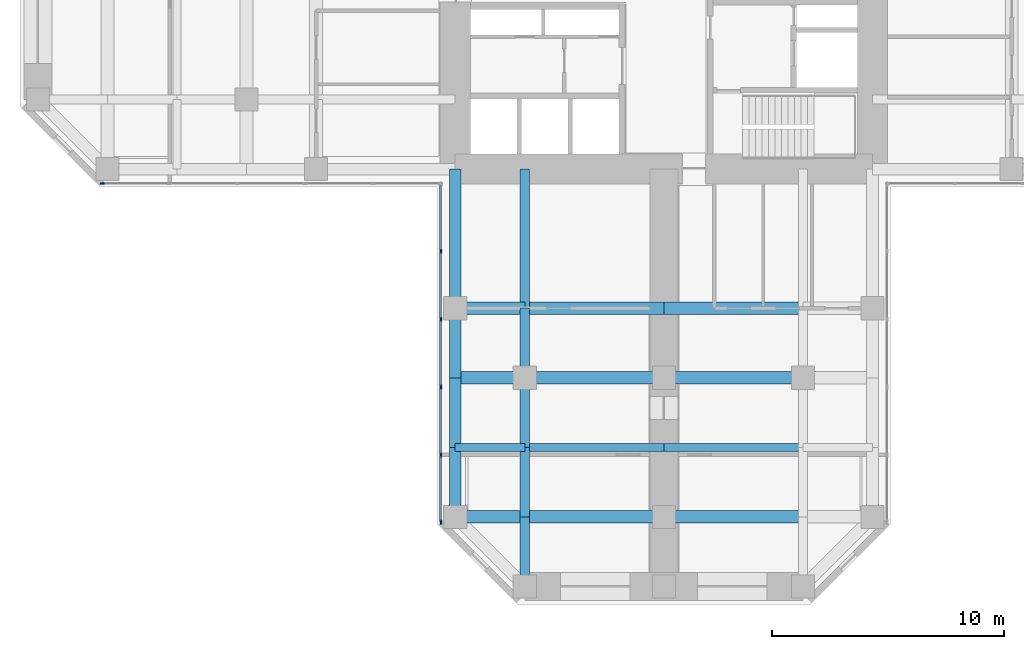
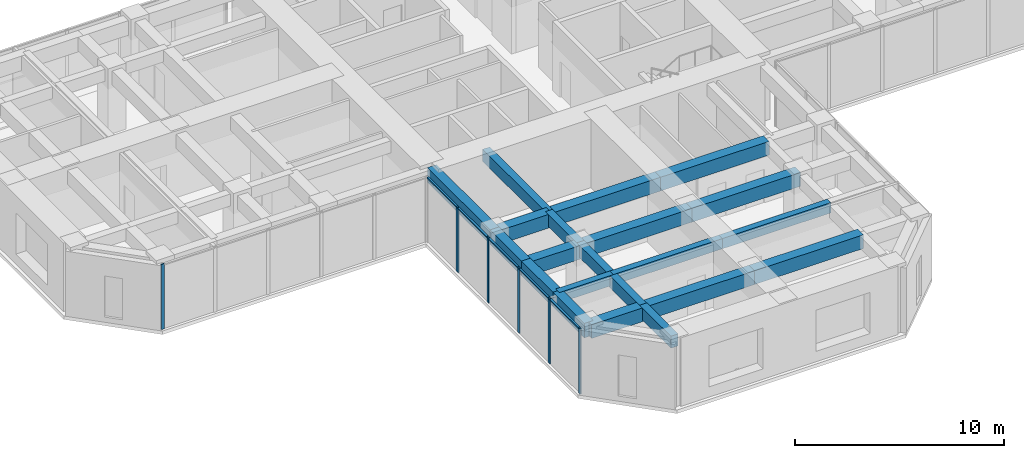
# One storey, part 2 of 13: 21 beams, 11 members, 2 elements without a shape of their own.
"""IFC4 building model written with IfcOpenShell, lengths in metres."""

from ifc_helpers import new_model, si_unit, direction, frame, origin, origin_2d, place, context, subcontext, project, spatial, rectangle, extrude, material, material_profile, profile_set, type_object, element, aggregate, save


model = new_model("IFC4")

# Units and contexts
model_context = context("Model", 3, precision=1e-05, world=origin(), true_north=direction((0.0, 1.0)))
body_context = subcontext(model_context, "Body", "Model", "MODEL_VIEW")
ifc_project = project(units=[si_unit("LENGTHUNIT", "METRE"), si_unit("AREAUNIT", "SQUARE_METRE"), si_unit("VOLUMEUNIT", "CUBIC_METRE"), si_unit("PLANEANGLEUNIT", "RADIAN"), si_unit("MASSUNIT", "GRAM", prefix="KILO")], contexts=[model_context])

# Site, building, storey
site_placement = place(None, origin())
site = spatial("IfcSite", under=ifc_project, at=site_placement, CompositionType="ELEMENT")
building_placement = place(site_placement, origin())
building = spatial("IfcBuilding", under=site, at=building_placement, Name="Torre Cruceta", CompositionType="ELEMENT")
storey_placement = place(building_placement, frame((0.0, 0.0, 132.5)))
storey = spatial("IfcBuildingStorey", under=building, at=storey_placement, Name="L32", CompositionType="ELEMENT", Elevation=132.5)

# Beams
ifc_material_1 = material(Name="Concrete G60 (fck 60 MPa)", Category="concrete")
ifc_material_profile_1 = material_profile(ifc_material_1, rectangle(XDim=0.39990234375, YDim=0.699951171875, at=origin_2d()), Name="RC 400X700")
ifc_profile_set_1 = profile_set([ifc_material_profile_1], Name="Concrete G60 (fck 60 MPa)")
beam_type_1 = type_object("IfcBeamType", Name="COLUMN LINE BEAM RC 400X700", PredefinedType="BEAM", material=ifc_profile_set_1)
beam_1_placement = place(storey_placement, frame((-6.0, -9.0, 3.449951171875), z_axis=(0.0, -1.0, 0.0), x_axis=(1.0, 0.0, 0.0)))
element("IfcBeam", 1, at=beam_1_placement, inside=storey, type_object=beam_type_1, Name="LB5 L32 S col- 1", PredefinedType="BEAM", context=body_context, shape_type="SweptSolid", body=[
    extrude(rectangle(XDim=0.39990234375, YDim=0.699951171875, at=origin_2d()), origin(), (0.0, 0.0, 1.0), 6.0),
])
for number, where, z_axis, x_axis, name in (
    (2, (-6.0, -15.0, 3.449951171875), (0.0, -1.0, 0.0), (1.0, 0.0, 0.0), "LB5 L32 S col- 2"),
    (3, (-6.0, -18.0, 3.449951171875), (0.0, -1.0, 0.0), (1.0, 0.0, 0.0), "LB5 L32 S col- 3"),
    (4, (-6.0, -21.0, 3.449951171875), (0.0, -1.0, 0.0), (1.0, 0.0, 0.0), "LB5 L32 S col- 4"),
    (5, (-6.0, -24.0, 3.449951171875), (0.0, -1.0, 0.0), (1.0, 0.0, 0.0), "LB5 L32 S col- 5"),
):
    element("IfcBeam", number, at=place(storey_placement, frame(where, z_axis=z_axis, x_axis=x_axis)), inside=storey, type_object=beam_type_1, Name=name, PredefinedType="BEAM", context=body_context, shape_type="SweptSolid", body=[
        extrude(rectangle(XDim=0.39990234375, YDim=0.699951171875, at=origin_2d()), origin(), (0.0, 0.0, 1.0), 3.0),
    ])
ifc_material_2 = material(Name="Concrete G60 (fck 60 MPa)", Category="concrete")
ifc_material_profile_2 = material_profile(ifc_material_2, rectangle(XDim=0.550048828125, YDim=0.800048828125, at=origin_2d()), Name="RC 550X800")
ifc_profile_set_2 = profile_set([ifc_material_profile_2], Name="Concrete G60 (fck 60 MPa)")
beam_type_2 = type_object("IfcBeamType", Name="CROSS BEAM RC 550X800", PredefinedType="BEAM", material=ifc_profile_set_2)
beam_2_placement = place(storey_placement, frame((-9.0, -15.0, 3.39990234375), z_axis=(1.0, 0.0, 0.0), x_axis=(0.0, 1.0, 0.0)))
element("IfcBeam", 6, at=beam_2_placement, inside=storey, type_object=beam_type_2, Name="GB5 L32 S cross15 1", PredefinedType="BEAM", context=body_context, shape_type="SweptSolid", body=[
    extrude(rectangle(XDim=0.550048828125, YDim=0.800048828125, at=origin_2d()), origin(), (0.0, 0.0, 1.0), 3.0),
])
for number, where, z_axis, x_axis, name in (
    (7, (-6.0, -15.0, 3.39990234375), (1.0, 0.0, 0.0), (0.0, 1.0, 0.0), "GB5 L32 S cross15 2"),
    (8, (0.0, -15.0, 3.39990234375), (1.0, 0.0, 0.0), (0.0, 1.0, 0.0), "GB5 L32 S cross15 3"),
):
    element("IfcBeam", number, at=place(storey_placement, frame(where, z_axis=z_axis, x_axis=x_axis)), inside=storey, type_object=beam_type_2, Name=name, PredefinedType="BEAM", context=body_context, shape_type="SweptSolid", body=[
        extrude(rectangle(XDim=0.550048828125, YDim=0.800048828125, at=origin_2d()), origin(), (0.0, 0.0, 1.0), 6.0),
    ])
beam_3_placement = place(storey_placement, frame((-9.0, -18.0, 3.39990234375), z_axis=(1.0, 0.0, 0.0), x_axis=(0.0, 1.0, 0.0)))
element("IfcBeam", 9, at=beam_3_placement, inside=storey, type_object=beam_type_2, Name="GB5 L32 S cross18 1", PredefinedType="BEAM", context=body_context, shape_type="SweptSolid", body=[
    extrude(rectangle(XDim=0.550048828125, YDim=0.800048828125, at=origin_2d()), origin(), (0.0, 0.0, 1.0), 3.0),
])
for number, where, z_axis, x_axis, name in (
    (10, (-6.0, -18.0, 3.39990234375), (1.0, 0.0, 0.0), (0.0, 1.0, 0.0), "GB5 L32 S cross18 2"),
    (11, (0.0, -18.0, 3.39990234375), (1.0, 0.0, 0.0), (0.0, 1.0, 0.0), "GB5 L32 S cross18 3"),
):
    element("IfcBeam", number, at=place(storey_placement, frame(where, z_axis=z_axis, x_axis=x_axis)), inside=storey, type_object=beam_type_2, Name=name, PredefinedType="BEAM", context=body_context, shape_type="SweptSolid", body=[
        extrude(rectangle(XDim=0.550048828125, YDim=0.800048828125, at=origin_2d()), origin(), (0.0, 0.0, 1.0), 6.0),
    ])
beam_4_placement = place(storey_placement, frame((-9.0, -24.0, 3.39990234375), z_axis=(1.0, 0.0, 0.0), x_axis=(0.0, 1.0, 0.0)))
element("IfcBeam", 12, at=beam_4_placement, inside=storey, type_object=beam_type_2, Name="GB5 L32 S cross24 1", PredefinedType="BEAM", context=body_context, shape_type="SweptSolid", body=[
    extrude(rectangle(XDim=0.550048828125, YDim=0.800048828125, at=origin_2d()), origin(), (0.0, 0.0, 1.0), 3.0),
])
for number, where, z_axis, x_axis, name in (
    (13, (-6.0, -24.0, 3.39990234375), (1.0, 0.0, 0.0), (0.0, 1.0, 0.0), "GB5 L32 S cross24 2"),
    (14, (0.0, -24.0, 3.39990234375), (1.0, 0.0, 0.0), (0.0, 1.0, 0.0), "GB5 L32 S cross24 3"),
):
    element("IfcBeam", number, at=place(storey_placement, frame(where, z_axis=z_axis, x_axis=x_axis)), inside=storey, type_object=beam_type_2, Name=name, PredefinedType="BEAM", context=body_context, shape_type="SweptSolid", body=[
        extrude(rectangle(XDim=0.550048828125, YDim=0.800048828125, at=origin_2d()), origin(), (0.0, 0.0, 1.0), 6.0),
    ])

# Curtain wall, member
ifc_material_3 = material(Name="Aluminium unitised curtain wall", Category="aluminium")
curtain_wall_type = type_object("IfcCurtainWallType", Name="CURTAIN WALL CW-B OFFICE MID RISE", PredefinedType="USERDEFINED", material=ifc_material_3)
curtain_wall_1_placement = place(storey_placement, origin())
curtain_wall_1 = element("IfcCurtainWall", 15, at=curtain_wall_1_placement, inside=storey, type_object=curtain_wall_type, Name="CW-B L32 W side 14", ObjectType="UNITISED", PredefinedType="USERDEFINED")
ifc_material_4 = material(Name="Aluminium mullion", Category="aluminium")
ifc_material_profile_3 = material_profile(ifc_material_4, rectangle(XDim=0.06494140625, YDim=0.179931640625, at=origin_2d()), Name="AL 65X180")
ifc_profile_set_3 = profile_set([ifc_material_profile_3], Name="Aluminium mullion")
member_type_1 = type_object("IfcMemberType", Name="CW-B MULLION 65X180", PredefinedType="MULLION", material=ifc_profile_set_3)
member_1_placement = place(storey_placement, frame((-24.224365234375, -9.6201171875, 0.0), z_axis=(0.0, 0.0, 1.0), x_axis=(0.0, 1.0, 0.0)))
member_1 = element("IfcMember", 16, at=member_1_placement, type_object=member_type_1, Name="CW-B mullion 1", PredefinedType="MULLION", context=body_context, shape_type="SweptSolid", body=[
    extrude(rectangle(XDim=0.06494140625, YDim=0.179931640625, at=origin_2d()), origin(), (0.0, 0.0, 1.0), 3.800048828125),
])
aggregate(curtain_wall_1, [member_1])

# Curtain wall, members
curtain_wall_2_placement = place(storey_placement, origin())
curtain_wall_2 = element("IfcCurtainWall", 17, at=curtain_wall_2_placement, inside=storey, type_object=curtain_wall_type, Name="CW-B L32 S side 15", ObjectType="UNITISED", PredefinedType="USERDEFINED")
member_2_placement = place(storey_placement, frame((-9.6201171875, -12.54736328125, 0.0), z_axis=(0.0, 0.0, 1.0), x_axis=(1.0, 0.0, 0.0)))
member_2 = element("IfcMember", 18, at=member_2_placement, type_object=member_type_1, Name="CW-B mullion 2", PredefinedType="MULLION", context=body_context, shape_type="SweptSolid", body=[
    extrude(rectangle(XDim=0.06494140625, YDim=0.179931640625, at=origin_2d()), origin(), (0.0, 0.0, 1.0), 3.800048828125),
])
member_3_placement = place(storey_placement, frame((-9.6201171875, -15.474609375, 0.0), z_axis=(0.0, 0.0, 1.0), x_axis=(1.0, 0.0, 0.0)))
member_3 = element("IfcMember", 19, at=member_3_placement, type_object=member_type_1, Name="CW-B mullion 3", PredefinedType="MULLION", context=body_context, shape_type="SweptSolid", body=[
    extrude(rectangle(XDim=0.06494140625, YDim=0.179931640625, at=origin_2d()), origin(), (0.0, 0.0, 1.0), 3.800048828125),
])
member_4_placement = place(storey_placement, frame((-9.6201171875, -18.402099609375, 0.0), z_axis=(0.0, 0.0, 1.0), x_axis=(1.0, 0.0, 0.0)))
member_4 = element("IfcMember", 20, at=member_4_placement, type_object=member_type_1, Name="CW-B mullion 4", PredefinedType="MULLION", context=body_context, shape_type="SweptSolid", body=[
    extrude(rectangle(XDim=0.06494140625, YDim=0.179931640625, at=origin_2d()), origin(), (0.0, 0.0, 1.0), 3.800048828125),
])
member_5_placement = place(storey_placement, frame((-9.6201171875, -21.329345703125, 0.0), z_axis=(0.0, 0.0, 1.0), x_axis=(1.0, 0.0, 0.0)))
member_5 = element("IfcMember", 21, at=member_5_placement, type_object=member_type_1, Name="CW-B mullion 5", PredefinedType="MULLION", context=body_context, shape_type="SweptSolid", body=[
    extrude(rectangle(XDim=0.06494140625, YDim=0.179931640625, at=origin_2d()), origin(), (0.0, 0.0, 1.0), 3.800048828125),
])
member_6_placement = place(storey_placement, frame((-9.6201171875, -24.224365234375, 0.0), z_axis=(0.0, 0.0, 1.0), x_axis=(1.0, 0.0, 0.0)))
member_6 = element("IfcMember", 22, at=member_6_placement, type_object=member_type_1, Name="CW-B mullion 6", PredefinedType="MULLION", context=body_context, shape_type="SweptSolid", body=[
    extrude(rectangle(XDim=0.06494140625, YDim=0.179931640625, at=origin_2d()), origin(), (0.0, 0.0, 1.0), 3.800048828125),
])
ifc_material_5 = material(Name="Aluminium transom", Category="aluminium")
ifc_material_profile_4 = material_profile(ifc_material_5, rectangle(XDim=0.110107421875, YDim=0.06494140625, at=origin_2d()), Name="AL 110X65")
ifc_profile_set_4 = profile_set([ifc_material_profile_4], Name="Aluminium transom")
member_type_2 = type_object("IfcMemberType", Name="CW-B TRANSOM 65X110", PredefinedType="USERDEFINED", material=ifc_profile_set_4)
member_7_placement = place(storey_placement, frame((-9.6201171875, -9.68505859375, 3.767578125), z_axis=(0.0, -1.0, 0.0), x_axis=(1.0, 0.0, 0.0)))
member_7 = element("IfcMember", 23, at=member_7_placement, type_object=member_type_2, Name="CW-B transom 1", ObjectType="TRANSOM", PredefinedType="USERDEFINED", context=body_context, shape_type="SweptSolid", body=[
    extrude(rectangle(XDim=0.110107421875, YDim=0.06494140625, at=origin_2d()), origin(), (0.0, 0.0, 1.0), 2.829833984375),
])
member_8_placement = place(storey_placement, frame((-9.6201171875, -12.579833984375, 3.767578125), z_axis=(0.0, -1.0, 0.0), x_axis=(1.0, 0.0, 0.0)))
member_8 = element("IfcMember", 24, at=member_8_placement, type_object=member_type_2, Name="CW-B transom 2", ObjectType="TRANSOM", PredefinedType="USERDEFINED", context=body_context, shape_type="SweptSolid", body=[
    extrude(rectangle(XDim=0.110107421875, YDim=0.06494140625, at=origin_2d()), origin(), (0.0, 0.0, 1.0), 2.8623046875),
])
member_9_placement = place(storey_placement, frame((-9.6201171875, -15.50732421875, 3.767578125), z_axis=(0.0, -1.0, 0.0), x_axis=(1.0, 0.0, 0.0)))
member_9 = element("IfcMember", 25, at=member_9_placement, type_object=member_type_2, Name="CW-B transom 3", ObjectType="TRANSOM", PredefinedType="USERDEFINED", context=body_context, shape_type="SweptSolid", body=[
    extrude(rectangle(XDim=0.110107421875, YDim=0.06494140625, at=origin_2d()), origin(), (0.0, 0.0, 1.0), 2.8623046875),
])
member_10_placement = place(storey_placement, frame((-9.6201171875, -18.4345703125, 3.767578125), z_axis=(0.0, -1.0, 0.0), x_axis=(1.0, 0.0, 0.0)))
member_10 = element("IfcMember", 26, at=member_10_placement, type_object=member_type_2, Name="CW-B transom 4", ObjectType="TRANSOM", PredefinedType="USERDEFINED", context=body_context, shape_type="SweptSolid", body=[
    extrude(rectangle(XDim=0.110107421875, YDim=0.06494140625, at=origin_2d()), origin(), (0.0, 0.0, 1.0), 2.8623046875),
])
member_11_placement = place(storey_placement, frame((-9.6201171875, -21.362060546875, 3.767578125), z_axis=(0.0, -1.0, 0.0), x_axis=(1.0, 0.0, 0.0)))
member_11 = element("IfcMember", 27, at=member_11_placement, type_object=member_type_2, Name="CW-B transom 5", ObjectType="TRANSOM", PredefinedType="USERDEFINED", context=body_context, shape_type="SweptSolid", body=[
    extrude(rectangle(XDim=0.110107421875, YDim=0.06494140625, at=origin_2d()), origin(), (0.0, 0.0, 1.0), 2.829833984375),
])
aggregate(curtain_wall_2, [member_2, member_3, member_4, member_5, member_6, member_7, member_8, member_9, member_10, member_11])

# Beams
ifc_material_6 = material(Name="Concrete G60 (fck 60 MPa)", Category="concrete")
ifc_material_profile_5 = material_profile(ifc_material_6, rectangle(XDim=0.35009765625, YDim=0.60009765625, at=origin_2d()), Name="RC 350X600")
ifc_profile_set_5 = profile_set([ifc_material_profile_5], Name="Concrete G60 (fck 60 MPa)")
beam_type_3 = type_object("IfcBeamType", Name="SECONDARY BEAM RC 350X600", PredefinedType="JOIST", material=ifc_profile_set_5)
beam_5_placement = place(storey_placement, frame((-9.0, -21.0, 3.5), z_axis=(1.0, 0.0, 0.0), x_axis=(0.0, 1.0, 0.0)))
element("IfcBeam", 28, at=beam_5_placement, inside=storey, type_object=beam_type_3, Name="JB5 L32 S sec21 1", PredefinedType="JOIST", context=body_context, shape_type="SweptSolid", body=[
    extrude(rectangle(XDim=0.35009765625, YDim=0.60009765625, at=origin_2d()), origin(), (0.0, 0.0, 1.0), 3.0),
])
for number, where, z_axis, x_axis, name in (
    (29, (-6.0, -21.0, 3.5), (1.0, 0.0, 0.0), (0.0, 1.0, 0.0), "JB5 L32 S sec21 2"),
    (30, (0.0, -21.0, 3.5), (1.0, 0.0, 0.0), (0.0, 1.0, 0.0), "JB5 L32 S sec21 3"),
):
    element("IfcBeam", number, at=place(storey_placement, frame(where, z_axis=z_axis, x_axis=x_axis)), inside=storey, type_object=beam_type_3, Name=name, PredefinedType="JOIST", context=body_context, shape_type="SweptSolid", body=[
        extrude(rectangle(XDim=0.35009765625, YDim=0.60009765625, at=origin_2d()), origin(), (0.0, 0.0, 1.0), 6.0),
    ])
ifc_material_7 = material(Name="Concrete G60 (fck 60 MPa)", Category="concrete")
ifc_material_profile_6 = material_profile(ifc_material_7, rectangle(XDim=0.5, YDim=0.85009765625, at=origin_2d()), Name="RC 500X850")
ifc_profile_set_6 = profile_set([ifc_material_profile_6], Name="Concrete G60 (fck 60 MPa)")
beam_type_4 = type_object("IfcBeamType", Name="SPANDREL BEAM RC 500X850", PredefinedType="SPANDREL", material=ifc_profile_set_6)
beam_6_placement = place(storey_placement, frame((-9.0, -9.0, 3.375), z_axis=(0.0, -1.0, 0.0), x_axis=(1.0, 0.0, 0.0)))
element("IfcBeam", 31, at=beam_6_placement, inside=storey, type_object=beam_type_4, Name="SB5 L32 S side- 1", PredefinedType="SPANDREL", context=body_context, shape_type="SweptSolid", body=[
    extrude(rectangle(XDim=0.5, YDim=0.85009765625, at=origin_2d()), origin(), (0.0, 0.0, 1.0), 6.0),
])
for number, where, z_axis, x_axis, name in (
    (32, (-9.0, -15.0, 3.375), (0.0, -1.0, 0.0), (1.0, 0.0, 0.0), "SB5 L32 S side- 2"),
    (33, (-9.0, -18.0, 3.375), (0.0, -1.0, 0.0), (1.0, 0.0, 0.0), "SB5 L32 S side- 3"),
    (34, (-9.0, -21.0, 3.375), (0.0, -1.0, 0.0), (1.0, 0.0, 0.0), "SB5 L32 S side- 4"),
):
    element("IfcBeam", number, at=place(storey_placement, frame(where, z_axis=z_axis, x_axis=x_axis)), inside=storey, type_object=beam_type_4, Name=name, PredefinedType="SPANDREL", context=body_context, shape_type="SweptSolid", body=[
        extrude(rectangle(XDim=0.5, YDim=0.85009765625, at=origin_2d()), origin(), (0.0, 0.0, 1.0), 3.0),
    ])

save(model, "model.ifc")
